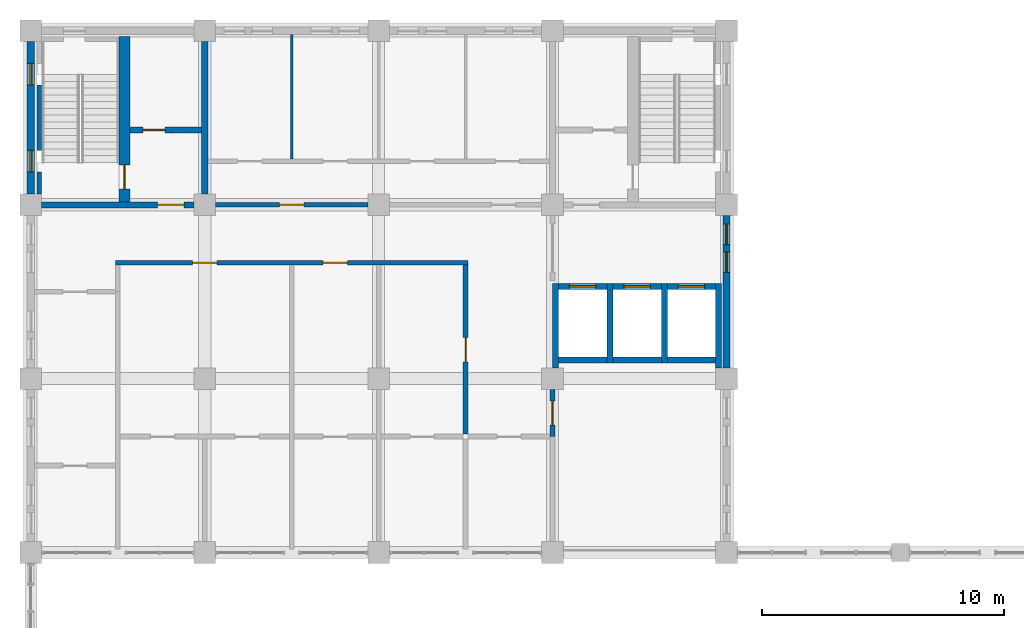
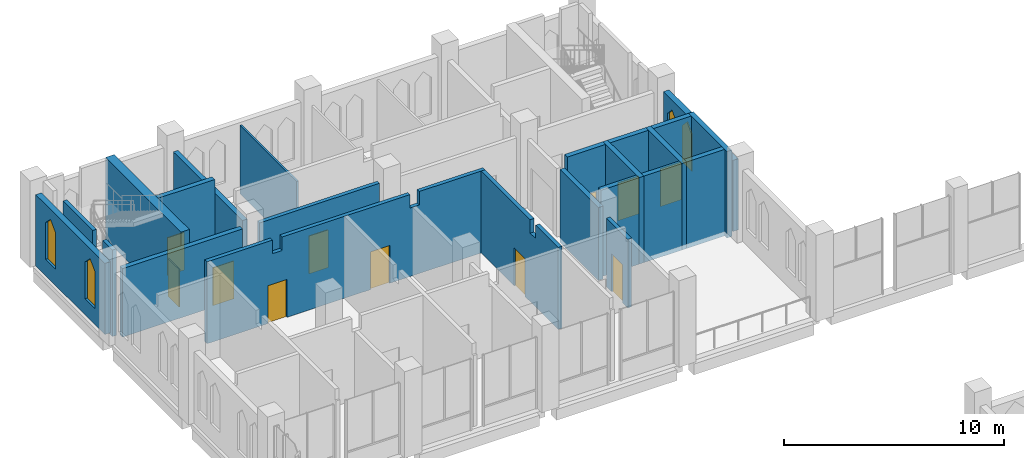
# One storey, part 23 of 30: 23 walls, 11 doors, 4 windows, 15 openings.
"""IFC4 building model written with IfcOpenShell, lengths in metres."""

import ifcopenshell
import ifcopenshell.guid

model = None  # the IFC model being written
_history = None  # IfcOwnerHistory: only IFC2X3 demands one
_inside = {}  # id of a spatial element -> (the spatial element, [elements in it])
_under = {}  # id of a project, library or spatial element -> (it, [spatial elements below it])
_declared = {}  # id of a project -> (the project, [libraries it declares])
_typed = {}  # id of a type object -> (the type object, [elements of that type])
_made_of = {}  # id of a material, layer set ... -> (it, [elements and type objects made of it])


def new_model(schema):
    """Start an empty IFC model of exactly this schema.

    Asked for "IFC4X3", IfcOpenShell would pick the latest addendum, in which some entities
    have other attributes; the version numbers below select the first issue.
    IFC2X3 requires an IfcOwnerHistory on every rooted entity: one is made here for all.
    """
    global model, _history
    if schema == "IFC4X3":
        model = ifcopenshell.file(schema_version=(4, 3, 0, 0))
    else:
        model = ifcopenshell.file(schema=schema)
    _inside.clear()
    _under.clear()
    _declared.clear()
    _typed.clear()
    _made_of.clear()
    _history = None
    if model.schema == "IFC2X3":
        org = make("IfcOrganization", Name="unknown")
        user = make(
            "IfcPersonAndOrganization",
            ThePerson=make("IfcPerson", FamilyName="unknown"),
            TheOrganization=org,
        )
        app = make(
            "IfcApplication",
            ApplicationDeveloper=org,
            Version="unknown",
            ApplicationFullName="unknown",
            ApplicationIdentifier="unknown",
        )
        _history = make(
            "IfcOwnerHistory",
            OwningUser=user,
            OwningApplication=app,
            ChangeAction="ADDED",
            CreationDate=0,
        )
    return model


def make(cls, **values):
    """One entity of the class cls with the attributes given. An attribute that is None is left unset."""
    return model.create_entity(
        cls, **{name: value for name, value in values.items() if value is not None}
    )


def rooted(cls, **values):
    """An entity with a GlobalId (a new one), such as an element, a storey or a relation."""
    return make(cls, GlobalId=ifcopenshell.guid.new(), OwnerHistory=_history, **values)


def si_unit(unit_type, name, prefix=None):
    """IfcSIUnit, for example si_unit("LENGTHUNIT", "METRE", prefix="MILLI")."""
    return make("IfcSIUnit", UnitType=unit_type, Prefix=prefix, Name=name)


def assignment(units):
    """IfcUnitAssignment: the units of a project."""
    return None if units is None else make("IfcUnitAssignment", Units=units)


def point(xyz):
    """IfcCartesianPoint."""
    return None if xyz is None else make("IfcCartesianPoint", Coordinates=xyz)


def direction(xyz):
    """IfcDirection."""
    return None if xyz is None else make("IfcDirection", DirectionRatios=xyz)


def frame(location, z_axis=None, x_axis=None):
    """IfcAxis2Placement3D, a coordinate frame: its origin and axes. An axis left out is left unset."""
    return make(
        "IfcAxis2Placement3D",
        Location=point(location),
        Axis=direction(z_axis),
        RefDirection=direction(x_axis),
    )


def frame_2d(location, x_axis=None):
    """IfcAxis2Placement2D, a coordinate frame in the plane: its origin and x axis."""
    return make(
        "IfcAxis2Placement2D", Location=point(location), RefDirection=direction(x_axis)
    )


def origin():
    """The frame at (0, 0, 0) with its axes left unset."""
    return frame((0.0, 0.0, 0.0))


def place(relative_to, where):
    """IfcLocalPlacement: puts the frame where relative to a parent placement (None: the world)."""
    return make(
        "IfcLocalPlacement", PlacementRelTo=relative_to, RelativePlacement=where
    )


def context(
    kind, dimensions, precision=None, world=None, true_north=None, identifier=None
):
    """IfcGeometricRepresentationContext, for example the 3D "Model" context."""
    return make(
        "IfcGeometricRepresentationContext",
        ContextIdentifier=identifier,
        ContextType=kind,
        CoordinateSpaceDimension=dimensions,
        Precision=precision,
        WorldCoordinateSystem=world,
        TrueNorth=true_north,
    )


def subcontext(parent, identifier, kind, view, scale=None):
    """IfcGeometricRepresentationSubContext, for example "Body" below "Model"."""
    return make(
        "IfcGeometricRepresentationSubContext",
        ContextIdentifier=identifier,
        ContextType=kind,
        ParentContext=parent,
        TargetScale=scale,
        TargetView=view,
    )


def project(units=None, contexts=None):
    """IfcProject with its units and contexts."""
    return rooted(
        "IfcProject",
        Name="project",
        RepresentationContexts=contexts,
        UnitsInContext=assignment(units),
    )


def spatial(cls, under=None, at=None, **own):
    """A site, building, storey or space (cls), placed at a placement, below another one or the project."""
    s = rooted(cls, ObjectPlacement=at, **own)
    if under is not None:
        _under.setdefault(under.id(), (under, []))[1].append(s)
    return s


def polyline(points):
    """IfcPolyline through the points."""
    return make("IfcPolyline", Points=[point(p) for p in points])


def profile(cls, at=None, kind="AREA", **sizes):
    """A parametric profile (cls). Its sizes go by their IFC names, for example OverallWidth=200.0."""
    return make(cls, ProfileType=kind, Position=at, **sizes)


def rectangle(**sizes):
    """IfcRectangleProfileDef."""
    return profile("IfcRectangleProfileDef", **sizes)


def outline(outer, holes=None, kind="AREA"):
    """IfcArbitraryClosedProfileDef: a profile drawn as a closed curve; with holes, ...WithVoids."""
    if holes is None:
        return make("IfcArbitraryClosedProfileDef", ProfileType=kind, OuterCurve=outer)
    return make(
        "IfcArbitraryProfileDefWithVoids",
        ProfileType=kind,
        OuterCurve=outer,
        InnerCurves=holes,
    )


def extrude(swept, where, along, depth):
    """IfcExtrudedAreaSolid: the profile swept, set in the frame where, extruded along a direction by depth."""
    return make(
        "IfcExtrudedAreaSolid",
        SweptArea=swept,
        Position=where,
        ExtrudedDirection=direction(along),
        Depth=depth,
    )


def shape(context_of_items, identifier, shape_type, items):
    """IfcShapeRepresentation: the items that make up one representation, for example the "Body"."""
    return make(
        "IfcShapeRepresentation",
        ContextOfItems=context_of_items,
        RepresentationIdentifier=identifier,
        RepresentationType=shape_type,
        Items=items,
    )


def material(Name=None, Category=None):
    """IfcMaterial."""
    return make("IfcMaterial", Name=Name, Category=Category)


def layer(
    of_material, thickness, ventilated=None, Name=None, Category=None, Priority=None
):
    """IfcMaterialLayer: one layer of a wall or slab, of a material (None: an air gap)."""
    return make(
        "IfcMaterialLayer",
        Material=of_material,
        LayerThickness=thickness,
        IsVentilated=ventilated,
        Name=Name,
        Category=Category,
        Priority=Priority,
    )


def layer_set(layers, Name=None):
    """IfcMaterialLayerSet."""
    return make("IfcMaterialLayerSet", MaterialLayers=layers, LayerSetName=Name)


def made_of(thing, what):
    """Note that an element or type object is made of a material, layer set ...; save() writes the relation."""
    if what is not None:
        _made_of.setdefault(what.id(), (what, []))[1].append(thing)
    return thing


def type_object(cls, material=None, **own):
    """A type object (cls), such as IfcWallType, which elements share."""
    return made_of(rooted(cls, **own), material)


def element(
    cls,
    number,
    at=None,
    inside=None,
    cuts=None,
    type_object=None,
    material=None,
    context=None,
    identifier="Body",
    shape_type=None,
    held_by="IfcProductDefinitionShape",
    body=None,
    shapes=None,
    **own,
):
    """One element of the class cls, such as IfcWall. Its Tag is "e" and its number.

    at: its placement. inside: the storey or other place that contains it. cuts: it is an
    opening in that element (IfcRelVoidsElement). A single representation is given by context,
    identifier, shape_type and body (its items); several are given by shapes. held_by: the class
    of the entity that holds the representations. save() writes the other relations.
    """
    e = rooted(cls, Tag="e%d" % number, ObjectPlacement=at, **own)
    if body is not None:
        shapes = [shape(context, identifier, shape_type, body)]
    if shapes is not None:
        e.Representation = make(held_by, Representations=shapes)
    if inside is not None:
        _inside.setdefault(inside.id(), (inside, []))[1].append(e)
    if cuts is not None:
        rooted(
            "IfcRelVoidsElement", RelatingBuildingElement=cuts, RelatedOpeningElement=e
        )
    if type_object is not None:
        _typed.setdefault(type_object.id(), (type_object, []))[1].append(e)
    return made_of(e, material)


def fill(opening, filler):
    """IfcRelFillsElement: the door or window that sits in an opening."""
    return rooted(
        "IfcRelFillsElement",
        RelatingOpeningElement=opening,
        RelatedBuildingElement=filler,
    )


def aggregate(whole, parts):
    """IfcRelAggregates: a whole, such as a stair, and the parts it consists of."""
    return rooted("IfcRelAggregates", RelatingObject=whole, RelatedObjects=parts)


def save(model, path):
    """Write the relations noted so far, then the file.

    IfcRelAggregates (storeys below a building ...), IfcRelContainedInSpatialStructure (elements
    in a storey), IfcRelDefinesByType, IfcRelAssociatesMaterial and IfcRelDeclares: one each for
    every whole, place, type object, material and project.
    """
    for whole, parts in _under.values():
        aggregate(whole, parts)
    for where, things in _inside.values():
        rooted(
            "IfcRelContainedInSpatialStructure",
            RelatedElements=things,
            RelatingStructure=where,
        )
    for kind, things in _typed.values():
        rooted("IfcRelDefinesByType", RelatedObjects=things, RelatingType=kind)
    for what, things in _made_of.values():
        rooted("IfcRelAssociatesMaterial", RelatedObjects=things, RelatingMaterial=what)
    for by, libraries in _declared.values():
        rooted("IfcRelDeclares", RelatingContext=by, RelatedDefinitions=libraries)
    model.write(path)


model = new_model("IFC4")

# Units and contexts
model_context = context("Model", 3, precision=1e-05, world=origin(), true_north=direction((0.0, 1.0)))
body_context = subcontext(model_context, "Body", "Model", "MODEL_VIEW")
ifc_project = project(units=[si_unit("LENGTHUNIT", "METRE"), si_unit("AREAUNIT", "SQUARE_METRE"), si_unit("VOLUMEUNIT", "CUBIC_METRE"), si_unit("PLANEANGLEUNIT", "RADIAN"), si_unit("MASSUNIT", "GRAM", prefix="KILO")], contexts=[model_context])

# Site, building, storey
site_placement = place(None, origin())
site = spatial("IfcSite", under=ifc_project, at=site_placement, CompositionType="ELEMENT")
building_placement = place(site_placement, origin())
building = spatial("IfcBuilding", under=site, at=building_placement, Name="Silangan Lancet Faculty of Sciences", CompositionType="ELEMENT")
storey_placement = place(building_placement, frame((0.0, 0.0, 31.199951171875)))
storey = spatial("IfcBuildingStorey", under=building, at=storey_placement, Name="L06", CompositionType="ELEMENT", Elevation=31.199951171875)

# Wall, openings, windows
ifc_material_1 = material(Name="Concrete C40/50 precast", Category="concrete")
ifc_layer_1 = layer(ifc_material_1, 0.300048828125)
ifc_layer_set_1 = layer_set([ifc_layer_1], Name="Concrete C40/50 precast")
wall_type_1 = type_object("IfcWallType", Name="EW1 Precast cladding wall", PredefinedType="STANDARD", material=ifc_layer_set_1)
wall_1_placement = place(storey_placement, frame((28.800048828125, 43.64990234375, 0.0), z_axis=(0.0, 0.0, 1.0), x_axis=(0.0, 1.0, 0.0)))
wall_1 = element("IfcWall", 1, at=wall_1_placement, inside=storey, type_object=wall_type_1, Name="EW-L06-E-NT-01", PredefinedType="STANDARD", context=body_context, shape_type="SweptSolid", body=[
    extrude(rectangle(XDim=6.300048828125, YDim=0.300048828125, at=frame_2d((3.14990234375, 0.0))), origin(), (0.0, 0.0, 1.0), 3.949951171875),
])
opening_1_placement = place(wall_1_placement, frame((3.949951171875, 0.0, 0.89990234375)))
opening_1 = element("IfcOpeningElement", 2, at=opening_1_placement, cuts=wall_1, Name="Opening W14", PredefinedType="OPENING", context=body_context, shape_type="SweptSolid", body=[
    extrude(outline(polyline([(0.0, 0.0), (0.85009765625, 0.0), (0.85009765625, 2.050048828125), (0.425048828125, 2.5), (0.0, 2.050048828125), (0.0, 0.0)])), frame((0.0, 0.159912109375, 0.0), z_axis=(0.0, -1.0, 0.0), x_axis=(1.0, 0.0, 0.0)), (0.0, 0.0, 1.0), 0.320068359375),
])
opening_2_placement = place(wall_1_placement, frame((5.10009765625, 0.0, 0.89990234375)))
opening_2 = element("IfcOpeningElement", 3, at=opening_2_placement, cuts=wall_1, Name="Opening W14", PredefinedType="OPENING", context=body_context, shape_type="SweptSolid", body=[
    extrude(outline(polyline([(0.0, 0.0), (0.85009765625, 0.0), (0.85009765625, 2.050048828125), (0.425048828125, 2.5), (0.0, 2.050048828125), (0.0, 0.0)])), frame((0.0, 0.159912109375, 0.0), z_axis=(0.0, -1.0, 0.0), x_axis=(1.0, 0.0, 0.0)), (0.0, 0.0, 1.0), 0.320068359375),
])
ifc_material_2 = material(Name="Aluminium frame, laminated double glazing", Category="aluminium")
window_type_1 = type_object("IfcWindowType", Name="W14 Lancet window 850 x 2500", PartitioningType="SINGLE_PANEL", PredefinedType="WINDOW", material=ifc_material_2)
window_1_placement = place(opening_1_placement, origin())
window_1 = element("IfcWindow", 4, at=window_1_placement, inside=storey, type_object=window_type_1, Name="WIN-L06-E-NT-01b1", OverallHeight=2.5, OverallWidth=0.85009765625, PartitioningType="SINGLE_PANEL", PredefinedType="WINDOW", context=body_context, shape_type="SweptSolid", body=[
    extrude(outline(polyline([(0.0, 0.0), (0.85009765625, 0.0), (0.85009765625, 2.050048828125), (0.425048828125, 2.5), (0.0, 2.050048828125), (0.0, 0.0)])), frame((0.0, 0.030029296875, 0.0), z_axis=(0.0, -1.0, 0.0), x_axis=(1.0, 0.0, 0.0)), (0.0, 0.0, 1.0), 0.06005859375),
])
fill(opening_1, window_1)
window_2_placement = place(opening_2_placement, origin())
window_2 = element("IfcWindow", 5, at=window_2_placement, inside=storey, type_object=window_type_1, Name="WIN-L06-E-NT-01b2", OverallHeight=2.5, OverallWidth=0.85009765625, PartitioningType="SINGLE_PANEL", PredefinedType="WINDOW", context=body_context, shape_type="SweptSolid", body=[
    extrude(outline(polyline([(0.0, 0.0), (0.85009765625, 0.0), (0.85009765625, 2.050048828125), (0.425048828125, 2.5), (0.0, 2.050048828125), (0.0, 0.0)])), frame((0.0, 0.030029296875, 0.0), z_axis=(0.0, -1.0, 0.0), x_axis=(1.0, 0.0, 0.0)), (0.0, 0.0, 1.0), 0.06005859375),
])
fill(opening_2, window_2)

ifc_material_3 = material(Name="Concrete C40/50 precast", Category="concrete")
ifc_layer_2 = layer(ifc_material_3, 0.300048828125)
ifc_layer_set_2 = layer_set([ifc_layer_2], Name="Concrete C40/50 precast")
wall_type_2 = type_object("IfcWallType", Name="EW2 Turret enclosure wall", PredefinedType="STANDARD", material=ifc_layer_set_2)
wall_2_placement = place(storey_placement, frame((0.0, 50.85009765625, 0.0), z_axis=(0.0, 0.0, 1.0), x_axis=(0.0, 1.0, 0.0)))
wall_2 = element("IfcWall", 6, at=wall_2_placement, inside=storey, type_object=wall_type_2, Name="EW-L06-W-NT-02", PredefinedType="STANDARD", context=body_context, shape_type="SweptSolid", body=[
    extrude(rectangle(XDim=6.2998046875, YDim=0.300048828125, at=frame_2d((3.14990234375, 0.0))), origin(), (0.0, 0.0, 1.0), 3.949951171875),
])
opening_3_placement = place(wall_2_placement, frame((0.89990234375, 0.0, 0.89990234375)))
opening_3 = element("IfcOpeningElement", 7, at=opening_3_placement, cuts=wall_2, Name="Opening W11", PredefinedType="OPENING", context=body_context, shape_type="SweptSolid", body=[
    extrude(outline(polyline([(0.0, 0.0), (0.89990234375, 0.0), (0.89990234375, 2.050048828125), (0.449951171875, 2.5), (0.0, 2.050048828125), (0.0, 0.0)])), frame((0.0, 0.159912109375, 0.0), z_axis=(0.0, -1.0, 0.0), x_axis=(1.0, 0.0, 0.0)), (0.0, 0.0, 1.0), 0.320068359375),
])
opening_4_placement = place(wall_2_placement, frame((4.5, 0.0, 0.89990234375)))
opening_4 = element("IfcOpeningElement", 8, at=opening_4_placement, cuts=wall_2, Name="Opening W11", PredefinedType="OPENING", context=body_context, shape_type="SweptSolid", body=[
    extrude(outline(polyline([(0.0, 0.0), (0.89990234375, 0.0), (0.89990234375, 2.050048828125), (0.449951171875, 2.5), (0.0, 2.050048828125), (0.0, 0.0)])), frame((0.0, 0.159912109375, 0.0), z_axis=(0.0, -1.0, 0.0), x_axis=(1.0, 0.0, 0.0)), (0.0, 0.0, 1.0), 0.320068359375),
])
ifc_material_4 = material(Name="Aluminium frame, laminated double glazing", Category="aluminium")
window_type_2 = type_object("IfcWindowType", Name="W11 Lancet window 900 x 2500", PartitioningType="SINGLE_PANEL", PredefinedType="WINDOW", material=ifc_material_4)
window_3_placement = place(opening_3_placement, origin())
window_3 = element("IfcWindow", 9, at=window_3_placement, inside=storey, type_object=window_type_2, Name="WIN-L06-W-NT-02a", OverallHeight=2.5, OverallWidth=0.89990234375, PartitioningType="SINGLE_PANEL", PredefinedType="WINDOW", context=body_context, shape_type="SweptSolid", body=[
    extrude(outline(polyline([(0.0, 0.0), (0.89990234375, 0.0), (0.89990234375, 2.050048828125), (0.449951171875, 2.5), (0.0, 2.050048828125), (0.0, 0.0)])), frame((0.0, 0.030029296875, 0.0), z_axis=(0.0, -1.0, 0.0), x_axis=(1.0, 0.0, 0.0)), (0.0, 0.0, 1.0), 0.06005859375),
])
fill(opening_3, window_3)
window_4_placement = place(opening_4_placement, origin())
window_4 = element("IfcWindow", 10, at=window_4_placement, inside=storey, type_object=window_type_2, Name="WIN-L06-W-NT-02b", OverallHeight=2.5, OverallWidth=0.89990234375, PartitioningType="SINGLE_PANEL", PredefinedType="WINDOW", context=body_context, shape_type="SweptSolid", body=[
    extrude(outline(polyline([(0.0, 0.0), (0.89990234375, 0.0), (0.89990234375, 2.050048828125), (0.449951171875, 2.5), (0.0, 2.050048828125), (0.0, 0.0)])), frame((0.0, 0.030029296875, 0.0), z_axis=(0.0, -1.0, 0.0), x_axis=(1.0, 0.0, 0.0)), (0.0, 0.0, 1.0), 0.06005859375),
])
fill(opening_4, window_4)

# Wall, openings, doors
ifc_material_5 = material(Name="Hollow block masonry fm 7 MPa", Category="masonry")
ifc_layer_3 = layer(ifc_material_5, 0.199951171875)
ifc_layer_set_3 = layer_set([ifc_layer_3], Name="Hollow block masonry fm 7 MPa")
wall_type_3 = type_object("IfcWallType", Name="Interior wall PW1 Corridor wall CHB 200", PredefinedType="PARTITIONING", material=ifc_layer_set_3)
wall_3_placement = place(storey_placement, frame((3.5, 48.0, 0.0), z_axis=(0.0, 0.0, 1.0), x_axis=(1.0, 0.0, 0.0)))
wall_3 = element("IfcWall", 11, at=wall_3_placement, inside=storey, type_object=wall_type_3, Name="Corridor wall CHB 200", PredefinedType="PARTITIONING", context=body_context, shape_type="SweptSolid", body=[
    extrude(outline(polyline([(0.0, 0.0), (14.60009765625, 0.0), (14.60009765625, 4.550048828125), (11.14990234375, 4.550048828125), (11.14990234375, 3.800048828125), (10.64990234375, 3.800048828125), (10.64990234375, 4.550048828125), (3.949951171875, 4.550048828125), (3.949951171875, 3.800048828125), (3.449951171875, 3.800048828125), (3.449951171875, 4.550048828125), (0.0, 4.550048828125), (0.0, 0.0)])), frame((0.0, 0.10009765625, 0.0), z_axis=(0.0, -1.0, 0.0), x_axis=(1.0, 0.0, 0.0)), (0.0, 0.0, 1.0), 0.199951171875),
])
opening_5_placement = place(wall_3_placement, frame((3.199951171875, 0.0, 0.0)))
opening_5 = element("IfcOpeningElement", 12, at=opening_5_placement, cuts=wall_3, Name="Opening L06-028", PredefinedType="OPENING", context=body_context, shape_type="SweptSolid", body=[
    extrude(rectangle(XDim=1.0, YDim=2.10009765625, at=frame_2d((0.5, 1.050048828125))), frame((0.0, 0.10986328125, 0.0), z_axis=(0.0, -1.0, 0.0), x_axis=(1.0, 0.0, 0.0)), (0.0, 0.0, 1.0), 0.219970703125),
])
opening_6_placement = place(wall_3_placement, frame((8.60009765625, 0.0, 0.0)))
opening_6 = element("IfcOpeningElement", 13, at=opening_6_placement, cuts=wall_3, Name="Opening L06-031", PredefinedType="OPENING", context=body_context, shape_type="SweptSolid", body=[
    extrude(rectangle(XDim=1.0, YDim=2.10009765625, at=frame_2d((0.5, 1.050048828125))), frame((0.0, 0.10986328125, 0.0), z_axis=(0.0, -1.0, 0.0), x_axis=(1.0, 0.0, 0.0)), (0.0, 0.0, 1.0), 0.219970703125),
])
ifc_material_6 = material(Name="Steel fire door set", Category="steel")
door_type_1 = type_object("IfcDoorType", Name="Door D1 Single leaf fire door 1000 x 2100", OperationType="SINGLE_SWING_LEFT", PredefinedType="DOOR", material=ifc_material_6)
door_1_placement = place(opening_5_placement, frame((1.0, 0.0, 0.0), z_axis=(0.0, 0.0, 1.0), x_axis=(-1.0, 0.0, 0.0)))
door_1 = element("IfcDoor", 14, at=door_1_placement, inside=storey, type_object=door_type_1, Name="Single leaf fire door 1000 x 2100", OperationType="SINGLE_SWING_LEFT", OverallHeight=2.10009765625, OverallWidth=1.0, PredefinedType="DOOR", context=body_context, shape_type="SweptSolid", body=[
    extrude(rectangle(XDim=1.0, YDim=2.10009765625, at=frame_2d((0.5, 1.050048828125))), frame((0.0, 0.025146484375, 0.0), z_axis=(0.0, -1.0, 0.0), x_axis=(1.0, 0.0, 0.0)), (0.0, 0.0, 1.0), 0.050048828125),
])
fill(opening_5, door_1)
door_2_placement = place(opening_6_placement, frame((1.0, 0.0, 0.0), z_axis=(0.0, 0.0, 1.0), x_axis=(-1.0, 0.0, 0.0)))
door_2 = element("IfcDoor", 15, at=door_2_placement, inside=storey, type_object=door_type_1, Name="Single leaf fire door 1000 x 2100", OperationType="SINGLE_SWING_RIGHT", OverallHeight=2.10009765625, OverallWidth=1.0, PredefinedType="DOOR", context=body_context, shape_type="SweptSolid", body=[
    extrude(rectangle(XDim=1.0, YDim=2.10009765625, at=frame_2d((0.5, 1.050048828125))), frame((0.0, 0.025146484375, 0.0), z_axis=(0.0, -1.0, 0.0), x_axis=(1.0, 0.0, 0.0)), (0.0, 0.0, 1.0), 0.050048828125),
])
fill(opening_6, door_2)

# Wall, opening, door
wall_4_placement = place(storey_placement, frame((7.64990234375, 50.39990234375, 0.0), z_axis=(0.0, 0.0, 1.0), x_axis=(1.0, 0.0, 0.0)))
wall_4 = element("IfcWall", 16, at=wall_4_placement, inside=storey, type_object=wall_type_3, Name="Corridor wall CHB 200", PredefinedType="PARTITIONING", context=body_context, shape_type="SweptSolid", body=[
    extrude(rectangle(XDim=6.300048828125, YDim=0.199951171875, at=frame_2d((3.14990234375, 0.0))), origin(), (0.0, 0.0, 1.0), 3.800048828125),
])
opening_7_placement = place(wall_4_placement, frame((2.64990234375, 0.0, 0.0)))
opening_7 = element("IfcOpeningElement", 17, at=opening_7_placement, cuts=wall_4, Name="Opening L06-005", PredefinedType="OPENING", context=body_context, shape_type="SweptSolid", body=[
    extrude(rectangle(XDim=1.0, YDim=2.10009765625, at=frame_2d((0.5, 1.050048828125))), frame((0.0, 0.10986328125, 0.0), z_axis=(0.0, -1.0, 0.0), x_axis=(1.0, 0.0, 0.0)), (0.0, 0.0, 1.0), 0.219970703125),
])
door_3_placement = place(opening_7_placement, origin())
door_3 = element("IfcDoor", 18, at=door_3_placement, inside=storey, type_object=door_type_1, Name="Single leaf fire door 1000 x 2100", OperationType="SINGLE_SWING_LEFT", OverallHeight=2.10009765625, OverallWidth=1.0, PredefinedType="DOOR", context=body_context, shape_type="SweptSolid", body=[
    extrude(rectangle(XDim=1.0, YDim=2.10009765625, at=frame_2d((0.5, 1.050048828125))), frame((0.0, 0.02490234375, 0.0), z_axis=(0.0, -1.0, 0.0), x_axis=(1.0, 0.0, 0.0)), (0.0, 0.0, 1.0), 0.050048828125),
])
fill(opening_7, door_3)

wall_5_placement = place(storey_placement, frame((18.0, 40.89990234375, 0.0), z_axis=(0.0, 0.0, 1.0), x_axis=(0.0, 1.0, 0.0)))
wall_5 = element("IfcWall", 19, at=wall_5_placement, inside=storey, type_object=wall_type_3, Name="Corridor wall CHB 200", PredefinedType="PARTITIONING", context=body_context, shape_type="SweptSolid", body=[
    extrude(outline(polyline([(0.0, 0.0), (7.0, 0.0), (7.0, 4.550048828125), (2.550048828125, 4.550048828125), (2.550048828125, 3.800048828125), (2.050048828125, 3.800048828125), (2.050048828125, 4.550048828125), (0.0, 4.550048828125), (0.0, 0.0)])), frame((0.0, 0.10009765625, 0.0), z_axis=(0.0, -1.0, 0.0), x_axis=(1.0, 0.0, 0.0)), (0.0, 0.0, 1.0), 0.199951171875),
])
opening_8_placement = place(wall_5_placement, frame((3.0, 0.0, 0.0)))
opening_8 = element("IfcOpeningElement", 20, at=opening_8_placement, cuts=wall_5, Name="Opening L06-033", PredefinedType="OPENING", context=body_context, shape_type="SweptSolid", body=[
    extrude(rectangle(XDim=1.0, YDim=2.10009765625, at=frame_2d((0.5, 1.050048828125))), frame((0.0, 0.10986328125, 0.0), z_axis=(0.0, -1.0, 0.0), x_axis=(1.0, 0.0, 0.0)), (0.0, 0.0, 1.0), 0.219970703125),
])
door_4_placement = place(opening_8_placement, origin())
door_4 = element("IfcDoor", 21, at=door_4_placement, inside=storey, type_object=door_type_1, Name="Single leaf fire door 1000 x 2100", OperationType="SINGLE_SWING_LEFT", OverallHeight=2.10009765625, OverallWidth=1.0, PredefinedType="DOOR", context=body_context, shape_type="SweptSolid", body=[
    extrude(rectangle(XDim=1.0, YDim=2.10009765625, at=frame_2d((0.5, 1.050048828125))), frame((0.0, 0.02490234375, 0.0), z_axis=(0.0, -1.0, 0.0), x_axis=(1.0, 0.0, 0.0)), (0.0, 0.0, 1.0), 0.050048828125),
])
fill(opening_8, door_4)

wall_6_placement = place(storey_placement, frame((21.60009765625, 40.800048828125, 0.0), z_axis=(0.0, 0.0, 1.0), x_axis=(0.0, 1.0, 0.0)))
wall_6 = element("IfcWall", 22, at=wall_6_placement, inside=storey, type_object=wall_type_3, Name="Corridor wall CHB 200", PredefinedType="PARTITIONING", context=body_context, shape_type="SweptSolid", body=[
    extrude(rectangle(XDim=1.949951171875, YDim=0.199951171875, at=frame_2d((0.97509765625, 0.0))), origin(), (0.0, 0.0, 1.0), 3.800048828125),
])
opening_9_placement = place(wall_6_placement, frame((0.47509765625, 0.0, 0.0)))
opening_9 = element("IfcOpeningElement", 23, at=opening_9_placement, cuts=wall_6, Name="Opening L06-025", PredefinedType="OPENING", context=body_context, shape_type="SweptSolid", body=[
    extrude(rectangle(XDim=1.0, YDim=2.10009765625, at=frame_2d((0.5, 1.050048828125))), frame((0.0, 0.10986328125, 0.0), z_axis=(0.0, -1.0, 0.0), x_axis=(1.0, 0.0, 0.0)), (0.0, 0.0, 1.0), 0.219970703125),
])
door_5_placement = place(opening_9_placement, frame((1.0, 0.0, 0.0), z_axis=(0.0, 0.0, 1.0), x_axis=(-1.0, 0.0, 0.0)))
door_5 = element("IfcDoor", 24, at=door_5_placement, inside=storey, type_object=door_type_1, Name="Single leaf fire door 1000 x 2100", OperationType="SINGLE_SWING_RIGHT", OverallHeight=2.10009765625, OverallWidth=1.0, PredefinedType="DOOR", context=body_context, shape_type="SweptSolid", body=[
    extrude(rectangle(XDim=1.0, YDim=2.10009765625, at=frame_2d((0.5, 1.050048828125))), frame((0.0, 0.025146484375, 0.0), z_axis=(0.0, -1.0, 0.0), x_axis=(1.0, 0.0, 0.0)), (0.0, 0.0, 1.0), 0.050048828125),
])
fill(opening_9, door_5)

# Walls
ifc_material_7 = material(Name="Hollow block masonry fm 7 MPa", Category="masonry")
ifc_layer_4 = layer(ifc_material_7, 0.10009765625)
ifc_layer_set_4 = layer_set([ifc_layer_4], Name="Hollow block masonry fm 7 MPa")
wall_type_4 = type_object("IfcWallType", Name="Interior wall PW8 WC partition CHB 100", PredefinedType="PARTITIONING", material=ifc_layer_set_4)
wall_7_placement = place(storey_placement, frame((10.800048828125, 52.300048828125, 0.0), z_axis=(0.0, 0.0, 1.0), x_axis=(0.0, 1.0, 0.0)))
element("IfcWall", 25, at=wall_7_placement, inside=storey, type_object=wall_type_4, Name="WC partition CHB 100", PredefinedType="PARTITIONING", context=body_context, shape_type="SweptSolid", body=[
    extrude(rectangle(XDim=5.14990234375, YDim=0.10009765625, at=frame_2d((2.574951171875, 0.0))), origin(), (0.0, 0.0, 1.0), 3.800048828125),
])
ifc_material_8 = material(Name="Concrete C40/50", Category="concrete")
ifc_layer_5 = layer(ifc_material_8, 0.25)
ifc_layer_set_5 = layer_set([ifc_layer_5], Name="Concrete C40/50")
wall_type_5 = type_object("IfcWallType", Name="LIFT SHAFT WALL RC 250", PredefinedType="SHEAR", material=ifc_layer_set_5)
wall_8_placement = place(storey_placement, frame((21.72509765625, 43.64990234375, -0.25), z_axis=(0.0, 0.0, 1.0), x_axis=(0.0, 1.0, 0.0)))
element("IfcWall", 26, at=wall_8_placement, inside=storey, type_object=wall_type_5, Name="WALL-L06-NT-SW1", PredefinedType="SHEAR", context=body_context, shape_type="SweptSolid", body=[
    extrude(rectangle(XDim=3.5, YDim=0.25, at=frame_2d((1.75, 0.0))), origin(), (0.0, 0.0, 1.0), 4.050048828125),
])
for number, where, z_axis, x_axis, name in (
    (27, (23.97509765625, 43.85009765625, -0.25), (0.0, 0.0, 1.0), (0.0, 1.0, 0.0), "WALL-L06-NT-SW2"),
    (28, (26.22509765625, 43.85009765625, -0.25), (0.0, 0.0, 1.0), (0.0, 1.0, 0.0), "WALL-L06-NT-SW3"),
):
    element("IfcWall", number, at=place(storey_placement, frame(where, z_axis=z_axis, x_axis=x_axis)), inside=storey, type_object=wall_type_5, Name=name, PredefinedType="SHEAR", context=body_context, shape_type="SweptSolid", body=[
        extrude(rectangle(XDim=3.2998046875, YDim=0.25, at=frame_2d((1.64990234375, 0.0))), origin(), (0.0, 0.0, 1.0), 4.800048828125),
    ])
wall_9_placement = place(storey_placement, frame((28.47509765625, 43.64990234375, -0.25), z_axis=(0.0, 0.0, 1.0), x_axis=(0.0, 1.0, 0.0)))
element("IfcWall", 29, at=wall_9_placement, inside=storey, type_object=wall_type_5, Name="WALL-L06-NT-SW4", PredefinedType="SHEAR", context=body_context, shape_type="SweptSolid", body=[
    extrude(rectangle(XDim=3.5, YDim=0.25, at=frame_2d((1.75, 0.0))), origin(), (0.0, 0.0, 1.0), 4.800048828125),
])

# Wall, opening, door
wall_10_placement = place(storey_placement, frame((21.85009765625, 47.02490234375, -0.25), z_axis=(0.0, 0.0, 1.0), x_axis=(1.0, 0.0, 0.0)))
wall_10 = element("IfcWall", 30, at=wall_10_placement, inside=storey, type_object=wall_type_5, Name="WALL-L06-NT-L1-F", PredefinedType="SHEAR", context=body_context, shape_type="SweptSolid", body=[
    extrude(rectangle(XDim=2.0, YDim=0.25, at=frame_2d((1.0, 0.0))), origin(), (0.0, 0.0, 1.0), 4.800048828125),
])
opening_10_placement = place(wall_10_placement, frame((0.449951171875, 0.0, 0.25)))
opening_10 = element("IfcOpeningElement", 31, at=opening_10_placement, cuts=wall_10, Name="Opening L06-801", PredefinedType="OPENING", context=body_context, shape_type="SweptSolid", body=[
    extrude(rectangle(XDim=1.10009765625, YDim=2.10009765625, at=frame_2d((0.550048828125, 1.050048828125))), frame((0.0, 0.135009765625, 0.0), z_axis=(0.0, -1.0, 0.0), x_axis=(1.0, 0.0, 0.0)), (0.0, 0.0, 1.0), 0.27001953125),
])
ifc_material_9 = material(Name="Stainless steel sliding door", Category="steel")
door_type_2 = type_object("IfcDoorType", Name="LD1 Lift landing door 1100x2100", OperationType="SLIDING_TO_LEFT", PredefinedType="DOOR", material=ifc_material_9)
door_6_placement = place(opening_10_placement, origin())
door_6 = element("IfcDoor", 32, at=door_6_placement, inside=storey, type_object=door_type_2, Name="Landing door NT-L1 L06", OperationType="SLIDING_TO_LEFT", OverallHeight=2.10009765625, OverallWidth=1.10009765625, PredefinedType="DOOR", context=body_context, shape_type="SweptSolid", body=[
    extrude(rectangle(XDim=1.10009765625, YDim=2.10009765625, at=frame_2d((0.550048828125, 1.050048828125))), frame((0.0, 0.02490234375, 0.0), z_axis=(0.0, -1.0, 0.0), x_axis=(1.0, 0.0, 0.0)), (0.0, 0.0, 1.0), 0.050048828125),
])
fill(opening_10, door_6)

# Wall
wall_11_placement = place(storey_placement, frame((21.85009765625, 43.97509765625, -0.25), z_axis=(0.0, 0.0, 1.0), x_axis=(1.0, 0.0, 0.0)))
element("IfcWall", 33, at=wall_11_placement, inside=storey, type_object=wall_type_5, Name="WALL-L06-NT-L1-B", PredefinedType="SHEAR", context=body_context, shape_type="SweptSolid", body=[
    extrude(rectangle(XDim=2.0, YDim=0.25, at=frame_2d((1.0, 0.0))), origin(), (0.0, 0.0, 1.0), 4.800048828125),
])

# Wall, opening, door
wall_12_placement = place(storey_placement, frame((24.10009765625, 47.02490234375, -0.25), z_axis=(0.0, 0.0, 1.0), x_axis=(1.0, 0.0, 0.0)))
wall_12 = element("IfcWall", 34, at=wall_12_placement, inside=storey, type_object=wall_type_5, Name="WALL-L06-NT-L2-F", PredefinedType="SHEAR", context=body_context, shape_type="SweptSolid", body=[
    extrude(rectangle(XDim=2.0, YDim=0.25, at=frame_2d((1.0, 0.0))), origin(), (0.0, 0.0, 1.0), 4.800048828125),
])
opening_11_placement = place(wall_12_placement, frame((0.449951171875, 0.0, 0.25)))
opening_11 = element("IfcOpeningElement", 35, at=opening_11_placement, cuts=wall_12, Name="Opening L06-802", PredefinedType="OPENING", context=body_context, shape_type="SweptSolid", body=[
    extrude(rectangle(XDim=1.10009765625, YDim=2.10009765625, at=frame_2d((0.550048828125, 1.050048828125))), frame((0.0, 0.135009765625, 0.0), z_axis=(0.0, -1.0, 0.0), x_axis=(1.0, 0.0, 0.0)), (0.0, 0.0, 1.0), 0.27001953125),
])
door_7_placement = place(opening_11_placement, origin())
door_7 = element("IfcDoor", 36, at=door_7_placement, inside=storey, type_object=door_type_2, Name="Landing door NT-L2 L06", OperationType="SLIDING_TO_LEFT", OverallHeight=2.10009765625, OverallWidth=1.10009765625, PredefinedType="DOOR", context=body_context, shape_type="SweptSolid", body=[
    extrude(rectangle(XDim=1.10009765625, YDim=2.10009765625, at=frame_2d((0.550048828125, 1.050048828125))), frame((0.0, 0.02490234375, 0.0), z_axis=(0.0, -1.0, 0.0), x_axis=(1.0, 0.0, 0.0)), (0.0, 0.0, 1.0), 0.050048828125),
])
fill(opening_11, door_7)

# Wall
wall_13_placement = place(storey_placement, frame((24.10009765625, 43.97509765625, -0.25), z_axis=(0.0, 0.0, 1.0), x_axis=(1.0, 0.0, 0.0)))
element("IfcWall", 37, at=wall_13_placement, inside=storey, type_object=wall_type_5, Name="WALL-L06-NT-L2-B", PredefinedType="SHEAR", context=body_context, shape_type="SweptSolid", body=[
    extrude(rectangle(XDim=2.0, YDim=0.25, at=frame_2d((1.0, 0.0))), origin(), (0.0, 0.0, 1.0), 4.800048828125),
])

# Wall, opening, door
wall_14_placement = place(storey_placement, frame((26.35009765625, 47.02490234375, -0.25), z_axis=(0.0, 0.0, 1.0), x_axis=(1.0, 0.0, 0.0)))
wall_14 = element("IfcWall", 38, at=wall_14_placement, inside=storey, type_object=wall_type_5, Name="WALL-L06-NT-L3-F", PredefinedType="SHEAR", context=body_context, shape_type="SweptSolid", body=[
    extrude(rectangle(XDim=2.0, YDim=0.25, at=frame_2d((1.0, 0.0))), origin(), (0.0, 0.0, 1.0), 4.800048828125),
])
opening_12_placement = place(wall_14_placement, frame((0.449951171875, 0.0, 0.25)))
opening_12 = element("IfcOpeningElement", 39, at=opening_12_placement, cuts=wall_14, Name="Opening L06-803", PredefinedType="OPENING", context=body_context, shape_type="SweptSolid", body=[
    extrude(rectangle(XDim=1.10009765625, YDim=2.10009765625, at=frame_2d((0.550048828125, 1.050048828125))), frame((0.0, 0.135009765625, 0.0), z_axis=(0.0, -1.0, 0.0), x_axis=(1.0, 0.0, 0.0)), (0.0, 0.0, 1.0), 0.27001953125),
])
door_8_placement = place(opening_12_placement, origin())
door_8 = element("IfcDoor", 40, at=door_8_placement, inside=storey, type_object=door_type_2, Name="Landing door NT-L3 L06", OperationType="SLIDING_TO_LEFT", OverallHeight=2.10009765625, OverallWidth=1.10009765625, PredefinedType="DOOR", context=body_context, shape_type="SweptSolid", body=[
    extrude(rectangle(XDim=1.10009765625, YDim=2.10009765625, at=frame_2d((0.550048828125, 1.050048828125))), frame((0.0, 0.02490234375, 0.0), z_axis=(0.0, -1.0, 0.0), x_axis=(1.0, 0.0, 0.0)), (0.0, 0.0, 1.0), 0.050048828125),
])
fill(opening_12, door_8)

# Wall
wall_15_placement = place(storey_placement, frame((26.35009765625, 43.97509765625, -0.25), z_axis=(0.0, 0.0, 1.0), x_axis=(1.0, 0.0, 0.0)))
element("IfcWall", 41, at=wall_15_placement, inside=storey, type_object=wall_type_5, Name="WALL-L06-NT-L3-B", PredefinedType="SHEAR", context=body_context, shape_type="SweptSolid", body=[
    extrude(rectangle(XDim=2.0, YDim=0.25, at=frame_2d((1.0, 0.0))), origin(), (0.0, 0.0, 1.0), 4.800048828125),
])

# Wall, opening, door
ifc_material_10 = material(Name="Concrete C40/50", Category="concrete")
ifc_layer_6 = layer(ifc_material_10, 0.449951171875)
ifc_layer_set_6 = layer_set([ifc_layer_6], Name="Concrete C40/50")
wall_type_6 = type_object("IfcWallType", Name="TURRET CORE WALL RC 450", PredefinedType="SHEAR", material=ifc_layer_set_6)
wall_16_placement = place(storey_placement, frame((3.875, 50.52490234375, 0.0), z_axis=(0.0, 0.0, 1.0), x_axis=(0.0, 1.0, 0.0)))
wall_16 = element("IfcWall", 42, at=wall_16_placement, inside=storey, type_object=wall_type_6, Name="WALL-L06-NT-A-WELL", PredefinedType="SHEAR", context=body_context, shape_type="SweptSolid", body=[
    extrude(rectangle(XDim=6.85009765625, YDim=0.449951171875, at=frame_2d((3.425048828125, 0.0))), origin(), (0.0, 0.0, 1.0), 4.550048828125),
])
opening_13_placement = place(wall_16_placement, frame((0.52490234375, 0.0, 0.0)))
opening_13 = element("IfcOpeningElement", 43, at=opening_13_placement, cuts=wall_16, Name="Opening L06-701", PredefinedType="OPENING", context=body_context, shape_type="SweptSolid", body=[
    extrude(rectangle(XDim=1.0, YDim=2.10009765625, at=frame_2d((0.5, 1.050048828125))), frame((0.0, 0.23486328125, 0.0), z_axis=(0.0, -1.0, 0.0), x_axis=(1.0, 0.0, 0.0)), (0.0, 0.0, 1.0), 0.469970703125),
])
ifc_material_11 = material(Name="Steel fire door set", Category="steel")
door_type_3 = type_object("IfcDoorType", Name="D71 Stair enclosure door 1000x2100", OperationType="SINGLE_SWING_LEFT", PredefinedType="DOOR", material=ifc_material_11)
door_9_placement = place(opening_13_placement, origin())
door_9 = element("IfcDoor", 44, at=door_9_placement, inside=storey, type_object=door_type_3, Name="Stair enclosure door NT-A L06", OperationType="SINGLE_SWING_LEFT", OverallHeight=2.10009765625, OverallWidth=1.0, PredefinedType="DOOR", context=body_context, shape_type="SweptSolid", body=[
    extrude(rectangle(XDim=1.0, YDim=2.10009765625, at=frame_2d((0.5, 1.050048828125))), frame((0.0, 0.02490234375, 0.0), z_axis=(0.0, -1.0, 0.0), x_axis=(1.0, 0.0, 0.0)), (0.0, 0.0, 1.0), 0.050048828125),
])
fill(opening_13, door_9)

# Walls
ifc_material_12 = material(Name="Concrete C40/50", Category="concrete")
ifc_layer_7 = layer(ifc_material_12, 0.199951171875)
ifc_layer_set_7 = layer_set([ifc_layer_7], Name="Concrete C40/50")
wall_type_7 = type_object("IfcWallType", Name="TURRET LINING WALL RC 200", PredefinedType="SHEAR", material=ifc_layer_set_7)
wall_17_placement = place(storey_placement, frame((0.35009765625, 50.85009765625, -0.25), z_axis=(0.0, 0.0, 1.0), x_axis=(0.0, 1.0, 0.0)))
element("IfcWall", 45, at=wall_17_placement, inside=storey, type_object=wall_type_7, Name="WALL-L06-NT-A-WL", PredefinedType="SHEAR", context=body_context, shape_type="SweptSolid", body=[
    extrude(rectangle(XDim=0.89990234375, YDim=0.199951171875, at=frame_2d((0.449951171875, 0.0))), origin(), (0.0, 0.0, 1.0), 4.800048828125),
])
wall_18_placement = place(storey_placement, frame((0.35009765625, 52.64990234375, -0.25), z_axis=(0.0, 0.0, 1.0), x_axis=(0.0, 1.0, 0.0)))
element("IfcWall", 46, at=wall_18_placement, inside=storey, type_object=wall_type_7, Name="WALL-L06-NT-A-WL-2", PredefinedType="SHEAR", context=body_context, shape_type="SweptSolid", body=[
    extrude(rectangle(XDim=2.7001953125, YDim=0.199951171875, at=frame_2d((1.35009765625, 0.0))), origin(), (0.0, 0.0, 1.0), 4.800048828125),
])

# Wall, opening, door
ifc_material_13 = material(Name="Concrete C40/50", Category="concrete")
ifc_layer_8 = layer(ifc_material_13, 0.25)
ifc_layer_set_8 = layer_set([ifc_layer_8], Name="Concrete C40/50")
wall_type_8 = type_object("IfcWallType", Name="TURRET WALL RC 250", PredefinedType="SHEAR", material=ifc_layer_set_8)
wall_19_placement = place(storey_placement, frame((0.449951171875, 50.39990234375, 0.0), z_axis=(0.0, 0.0, 1.0), x_axis=(1.0, 0.0, 0.0)))
wall_19 = element("IfcWall", 47, at=wall_19_placement, inside=storey, type_object=wall_type_8, Name="WALL-L06-NT-A-V", PredefinedType="SHEAR", context=body_context, shape_type="SweptSolid", body=[
    extrude(rectangle(XDim=6.300048828125, YDim=0.25, at=frame_2d((3.14990234375, 0.0))), origin(), (0.0, 0.0, 1.0), 3.800048828125),
])
opening_14_placement = place(wall_19_placement, frame((4.800048828125, 0.0, 0.0)))
opening_14 = element("IfcOpeningElement", 48, at=opening_14_placement, cuts=wall_19, Name="Opening L06-702", PredefinedType="OPENING", context=body_context, shape_type="SweptSolid", body=[
    extrude(rectangle(XDim=1.10009765625, YDim=2.10009765625, at=frame_2d((0.550048828125, 1.050048828125))), frame((0.0, 0.135009765625, 0.0), z_axis=(0.0, -1.0, 0.0), x_axis=(1.0, 0.0, 0.0)), (0.0, 0.0, 1.0), 0.27001953125),
])
ifc_material_14 = material(Name="Steel fire door set", Category="steel")
door_type_4 = type_object("IfcDoorType", Name="D70 Stair vestibule door 1100x2100", OperationType="SINGLE_SWING_LEFT", PredefinedType="DOOR", material=ifc_material_14)
door_10_placement = place(opening_14_placement, origin())
door_10 = element("IfcDoor", 49, at=door_10_placement, inside=storey, type_object=door_type_4, Name="Stair vestibule door NT-A L06", OperationType="SINGLE_SWING_RIGHT", OverallHeight=2.10009765625, OverallWidth=1.10009765625, PredefinedType="DOOR", context=body_context, shape_type="SweptSolid", body=[
    extrude(rectangle(XDim=1.10009765625, YDim=2.10009765625, at=frame_2d((0.550048828125, 1.050048828125))), frame((0.0, 0.02490234375, 0.0), z_axis=(0.0, -1.0, 0.0), x_axis=(1.0, 0.0, 0.0)), (0.0, 0.0, 1.0), 0.050048828125),
])
fill(opening_14, door_10)

# Wall
wall_20_placement = place(storey_placement, frame((7.199951171875, 50.85009765625, 0.0), z_axis=(0.0, 0.0, 1.0), x_axis=(0.0, 1.0, 0.0)))
element("IfcWall", 50, at=wall_20_placement, inside=storey, type_object=wall_type_8, Name="WALL-L06-NT-A-O", PredefinedType="SHEAR", context=body_context, shape_type="SweptSolid", body=[
    extrude(rectangle(XDim=6.2998046875, YDim=0.25, at=frame_2d((3.14990234375, 0.0))), origin(), (0.0, 0.0, 1.0), 3.800048828125),
])

# Wall, opening, door
wall_21_placement = place(storey_placement, frame((4.10009765625, 53.5, 0.0), z_axis=(0.0, 0.0, 1.0), x_axis=(1.0, 0.0, 0.0)))
wall_21 = element("IfcWall", 51, at=wall_21_placement, inside=storey, type_object=wall_type_8, Name="WALL-L06-NT-A-RISER", PredefinedType="SHEAR", context=body_context, shape_type="SweptSolid", body=[
    extrude(rectangle(XDim=2.974853515625, YDim=0.25, at=frame_2d((1.4873046875, 0.0))), origin(), (0.0, 0.0, 1.0), 4.550048828125),
])
opening_15_placement = place(wall_21_placement, frame((0.550048828125, 0.0, 0.0)))
opening_15 = element("IfcOpeningElement", 52, at=opening_15_placement, cuts=wall_21, Name="Opening L06-703", PredefinedType="OPENING", context=body_context, shape_type="SweptSolid", body=[
    extrude(rectangle(XDim=0.89990234375, YDim=2.10009765625, at=frame_2d((0.449951171875, 1.050048828125))), frame((0.0, 0.135009765625, 0.0), z_axis=(0.0, -1.0, 0.0), x_axis=(1.0, 0.0, 0.0)), (0.0, 0.0, 1.0), 0.27001953125),
])
ifc_material_15 = material(Name="Steel fire door set", Category="steel")
door_type_5 = type_object("IfcDoorType", Name="D72 Riser access door 900x2100", OperationType="SINGLE_SWING_LEFT", PredefinedType="DOOR", material=ifc_material_15)
door_11_placement = place(opening_15_placement, origin())
door_11 = element("IfcDoor", 53, at=door_11_placement, inside=storey, type_object=door_type_5, Name="Riser access door NT-A L06", OperationType="SINGLE_SWING_RIGHT", OverallHeight=2.10009765625, OverallWidth=0.89990234375, PredefinedType="DOOR", context=body_context, shape_type="SweptSolid", body=[
    extrude(rectangle(XDim=0.89990234375, YDim=2.10009765625, at=frame_2d((0.449951171875, 1.050048828125))), frame((0.0, 0.02490234375, 0.0), z_axis=(0.0, -1.0, 0.0), x_axis=(1.0, 0.0, 0.0)), (0.0, 0.0, 1.0), 0.050048828125),
])
fill(opening_15, door_11)

save(model, "model.ifc")
